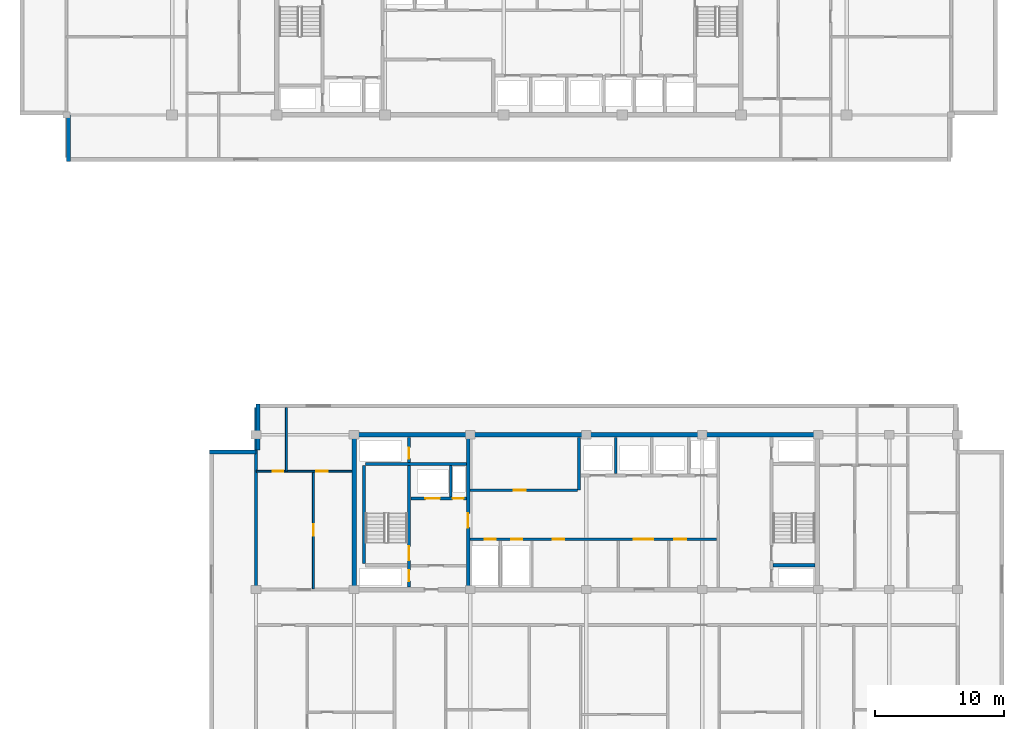
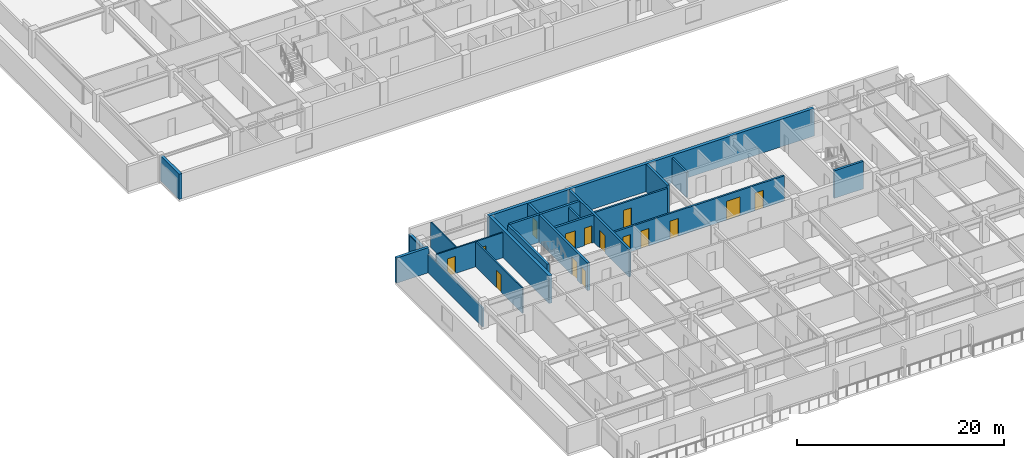
# One storey, part 6 of 21: 20 walls, 15 doors, 15 openings.
"""IFC4 building model written with IfcOpenShell, lengths in metres."""

from ifc_helpers import new_model, si_unit, direction, frame, frame_2d, origin, place, context, subcontext, project, spatial, rectangle, extrude, material, layer, layer_set, type_object, element, fill, save


model = new_model("IFC4")

# Units and contexts
model_context = context("Model", 3, precision=1e-05, world=origin(), true_north=direction((0.0, 1.0)))
body_context = subcontext(model_context, "Body", "Model", "MODEL_VIEW")
ifc_project = project(units=[si_unit("LENGTHUNIT", "METRE"), si_unit("AREAUNIT", "SQUARE_METRE"), si_unit("VOLUMEUNIT", "CUBIC_METRE"), si_unit("PLANEANGLEUNIT", "RADIAN"), si_unit("MASSUNIT", "GRAM", prefix="KILO")], contexts=[model_context])

# Site, building, storey
site_placement = place(None, origin())
site = spatial("IfcSite", under=ifc_project, at=site_placement, CompositionType="ELEMENT")
building_placement = place(site_placement, origin())
building = spatial("IfcBuilding", under=site, at=building_placement, Name="Korimba Cascade Residences", CompositionType="ELEMENT")
storey_placement = place(building_placement, frame((0.0, 0.0, 175.10009765625)))
storey = spatial("IfcBuildingStorey", under=building, at=storey_placement, Name="L50", CompositionType="ELEMENT", Elevation=175.10009765625)

# Walls
ifc_material_1 = material(Name="Precast concrete C40/50", Category="concrete")
ifc_layer_1 = layer(ifc_material_1, 0.300048828125)
ifc_layer_set_1 = layer_set([ifc_layer_1], Name="Precast concrete C40/50")
wall_type_1 = type_object("IfcWallType", Name="EW-STONE-300", PredefinedType="STANDARD", material=ifc_layer_set_1)
wall_1_placement = place(storey_placement, frame((59.949951171875, 55.199951171875, 0.0), z_axis=(0.0, 0.0, 1.0), x_axis=(0.0, -1.0, 0.0)))
element("IfcWall", 1, at=wall_1_placement, inside=storey, type_object=wall_type_1, Name="L50 T1 Perimeter Stone Wall E11", PredefinedType="STANDARD", context=body_context, shape_type="SweptSolid", body=[
    extrude(rectangle(XDim=3.599853515625, YDim=0.300048828125, at=frame_2d((1.7998046875, 0.0))), origin(), (0.0, 0.0, 1.0), 2.969970703125),
])
wall_2_placement = place(storey_placement, frame((74.64990234375, 32.800048828125, 0.0), z_axis=(0.0, 0.0, 1.0), x_axis=(0.0, -1.0, 0.0)))
element("IfcWall", 2, at=wall_2_placement, inside=storey, type_object=wall_type_1, Name="L50 T2 Perimeter Stone Wall E07", PredefinedType="STANDARD", context=body_context, shape_type="SweptSolid", body=[
    extrude(rectangle(XDim=3.60009765625, YDim=0.300048828125, at=frame_2d((1.800048828125, 0.0))), origin(), (0.0, 0.0, 1.0), 2.2001953125),
])
wall_3_placement = place(storey_placement, frame((74.5, 29.050048828125, 0.0), z_axis=(0.0, 0.0, 1.0), x_axis=(-1.0, 0.0, 0.0)))
element("IfcWall", 3, at=wall_3_placement, inside=storey, type_object=wall_type_1, Name="L50 T2 Perimeter Stone Wall E08", PredefinedType="STANDARD", context=body_context, shape_type="SweptSolid", body=[
    extrude(rectangle(XDim=3.60009765625, YDim=0.300048828125, at=frame_2d((1.800048828125, 0.0))), origin(), (0.0, 0.0, 1.0), 2.969970703125),
])
ifc_material_2 = material(Name="Concrete C65/80", Category="concrete")
ifc_layer_2 = layer(ifc_material_2, 0.35009765625)
ifc_layer_set_2 = layer_set([ifc_layer_2], Name="Concrete C65/80")
wall_type_2 = type_object("IfcWallType", Name="WAL-CORE-350", PredefinedType="SHEAR", material=ifc_layer_set_2)
wall_4_placement = place(storey_placement, frame((81.925048828125, 30.39990234375, 0.0), z_axis=(0.0, 0.0, 1.0), x_axis=(1.0, 0.0, 0.0)))
element("IfcWall", 4, at=wall_4_placement, inside=storey, type_object=wall_type_2, Name="L50 Core Shear Wall CW-L50-T2-N", PredefinedType="SHEAR", context=body_context, shape_type="SweptSolid", body=[
    extrude(rectangle(XDim=36.264892578125, YDim=0.35009765625, at=frame_2d((18.13232421875, 0.0))), origin(), (0.0, 0.0, 1.0), 3.25),
])
wall_5_placement = place(storey_placement, frame((82.10009765625, 18.574951171875, 0.0), z_axis=(0.0, 0.0, 1.0), x_axis=(0.0, 1.0, 0.0)))
element("IfcWall", 5, at=wall_5_placement, inside=storey, type_object=wall_type_2, Name="L50 Core Shear Wall CW-L50-T2-W", PredefinedType="SHEAR", context=body_context, shape_type="SweptSolid", body=[
    extrude(rectangle(XDim=11.650146484375, YDim=0.35009765625, at=frame_2d((5.8251953125, 0.0))), origin(), (0.0, 0.0, 1.0), 3.25),
])
ifc_layer_3 = layer(ifc_material_1, 0.199951171875)
ifc_layer_set_3 = layer_set([ifc_layer_3], Name="Precast concrete C40/50")
wall_type_3 = type_object("IfcWallType", Name="WAL-IT-200", PredefinedType="PARTITIONING", material=ifc_layer_set_3)
wall_6_placement = place(storey_placement, frame((74.5, 18.39990234375, 0.0), z_axis=(0.0, 0.0, 1.0), x_axis=(0.0, 1.0, 0.0)))
element("IfcWall", 6, at=wall_6_placement, inside=storey, type_object=wall_type_3, Name="L50 Partition Wall WAL-L50-T2-FW-WL", PredefinedType="PARTITIONING", context=body_context, shape_type="SweptSolid", body=[
    extrude(rectangle(XDim=14.10009765625, YDim=0.199951171875, at=frame_2d((7.050048828125, 0.0))), origin(), (0.0, 0.0, 1.0), 2.2001953125),
])

# Wall, opening, door
ifc_material_3 = material(Name="Insulated Acoustic Stud Partition", Category="gypsum")
ifc_layer_4 = layer(ifc_material_3, 0.14990234375)
ifc_layer_set_4 = layer_set([ifc_layer_4], Name="Insulated Acoustic Stud Partition")
wall_type_4 = type_object("IfcWallType", Name="WAL-PART-150", PredefinedType="PARTITIONING", material=ifc_layer_set_4)
wall_7_placement = place(storey_placement, frame((78.945068359375, 18.449951171875, 0.0), z_axis=(0.0, 0.0, 1.0), x_axis=(0.0, 1.0, 0.0)))
wall_7 = element("IfcWall", 7, at=wall_7_placement, inside=storey, type_object=wall_type_4, Name="L50 Partition Wall WAL-L50-T2-FW-VS", PredefinedType="PARTITIONING", context=body_context, shape_type="SweptSolid", body=[
    extrude(rectangle(XDim=9.1201171875, YDim=0.14990234375, at=frame_2d((4.56005859375, 0.0))), origin(), (0.0, 0.0, 1.0), 2.969970703125),
])
opening_1_placement = place(wall_7_placement, frame((4.10009765625, 0.0, 0.0)))
opening_1 = element("IfcOpeningElement", 8, at=opening_1_placement, cuts=wall_7, Name="Opening D-IN1", PredefinedType="OPENING", context=body_context, shape_type="SweptSolid", body=[
    extrude(rectangle(XDim=0.919921875, YDim=2.080078125, at=frame_2d((0.4599609375, 1.0400390625))), frame((0.0, 0.0849609375, 0.0), z_axis=(0.0, -1.0, 0.0), x_axis=(1.0, 0.0, 0.0)), (0.0, 0.0, 1.0), 0.169921875),
])
ifc_material_4 = material(Name="Acoustic Timber Living Door", Category="wood")
door_type_1 = type_object("IfcDoorType", Name="DR-INT-920", OperationType="NOTDEFINED", PredefinedType="DOOR", material=ifc_material_4)
door_1_placement = place(opening_1_placement, origin())
door_1 = element("IfcDoor", 9, at=door_1_placement, inside=storey, type_object=door_type_1, Name="L50-T2-FW Living Door", OperationType="SINGLE_SWING_RIGHT", OverallHeight=2.080078125, OverallWidth=0.919921875, PredefinedType="DOOR", context=body_context, shape_type="SweptSolid", body=[
    extrude(rectangle(XDim=0.919921875, YDim=2.080078125, at=frame_2d((0.4599609375, 1.0400390625))), frame((0.0, 0.02490234375, 0.0), z_axis=(0.0, -1.0, 0.0), x_axis=(1.0, 0.0, 0.0)), (0.0, 0.0, 1.0), 0.050048828125),
])
fill(opening_1, door_1)

# Wall
wall_8_placement = place(storey_placement, frame((76.85009765625, 27.570068359375, 0.0), z_axis=(0.0, 0.0, 1.0), x_axis=(0.0, 1.0, 0.0)))
element("IfcWall", 10, at=wall_8_placement, inside=storey, type_object=wall_type_4, Name="L50 Partition Wall WAL-L50-T2-FW-VN", PredefinedType="PARTITIONING", context=body_context, shape_type="SweptSolid", body=[
    extrude(rectangle(XDim=4.929931640625, YDim=0.14990234375, at=frame_2d((2.46484375, 0.0))), origin(), (0.0, 0.0, 1.0), 2.969970703125),
])

# Wall, openings, doors
wall_9_placement = place(storey_placement, frame((74.52001953125, 27.570068359375, 0.0), z_axis=(0.0, 0.0, 1.0), x_axis=(1.0, 0.0, 0.0)))
wall_9 = element("IfcWall", 11, at=wall_9_placement, inside=storey, type_object=wall_type_4, Name="L50 Partition Wall WAL-L50-T2-FW-H", PredefinedType="PARTITIONING", context=body_context, shape_type="SweptSolid", body=[
    extrude(rectangle(XDim=7.409912109375, YDim=0.14990234375, at=frame_2d((3.705078125, 0.0))), origin(), (0.0, 0.0, 1.0), 2.969970703125),
])
opening_2_placement = place(wall_9_placement, frame((1.266357421875, 0.0, 0.0)))
opening_2 = element("IfcOpeningElement", 12, at=opening_2_placement, cuts=wall_9, Name="Opening D-BT1", PredefinedType="OPENING", context=body_context, shape_type="SweptSolid", body=[
    extrude(rectangle(XDim=0.840087890625, YDim=2.0400390625, at=frame_2d((0.419921875, 1.02001953125))), frame((0.0, 0.0849609375, 0.0), z_axis=(0.0, -1.0, 0.0), x_axis=(1.0, 0.0, 0.0)), (0.0, 0.0, 1.0), 0.169921875),
])
opening_3_placement = place(wall_9_placement, frame((4.64501953125, 0.0, 0.0)))
opening_3 = element("IfcOpeningElement", 13, at=opening_3_placement, cuts=wall_9, Name="Opening D-IN2", PredefinedType="OPENING", context=body_context, shape_type="SweptSolid", body=[
    extrude(rectangle(XDim=0.8798828125, YDim=2.06005859375, at=frame_2d((0.43994140625, 1.030029296875))), frame((0.0, 0.0849609375, 0.0), z_axis=(0.0, -1.0, 0.0), x_axis=(1.0, 0.0, 0.0)), (0.0, 0.0, 1.0), 0.169921875),
])
ifc_material_5 = material(Name="Moisture-Resistant Bathroom Timber Door", Category="wood")
door_type_2 = type_object("IfcDoorType", Name="DR-INT-850", OperationType="NOTDEFINED", PredefinedType="DOOR", material=ifc_material_5)
door_2_placement = place(opening_2_placement, origin())
door_2 = element("IfcDoor", 14, at=door_2_placement, inside=storey, type_object=door_type_2, Name="L50-T2-FW Bathroom Door", OperationType="SINGLE_SWING_LEFT", OverallHeight=2.0400390625, OverallWidth=0.840087890625, PredefinedType="DOOR", context=body_context, shape_type="SweptSolid", body=[
    extrude(rectangle(XDim=0.840087890625, YDim=2.0400390625, at=frame_2d((0.419921875, 1.02001953125))), frame((0.0, 0.02490234375, 0.0), z_axis=(0.0, -1.0, 0.0), x_axis=(1.0, 0.0, 0.0)), (0.0, 0.0, 1.0), 0.050048828125),
])
fill(opening_2, door_2)
ifc_material_6 = material(Name="Acoustic Timber Bedroom Door", Category="wood")
door_type_3 = type_object("IfcDoorType", Name="DR-INT-880", OperationType="NOTDEFINED", PredefinedType="DOOR", material=ifc_material_6)
door_3_placement = place(opening_3_placement, origin())
door_3 = element("IfcDoor", 15, at=door_3_placement, inside=storey, type_object=door_type_3, Name="L50-T2-FW Bedroom Door", OperationType="SINGLE_SWING_RIGHT", OverallHeight=2.06005859375, OverallWidth=0.8798828125, PredefinedType="DOOR", context=body_context, shape_type="SweptSolid", body=[
    extrude(rectangle(XDim=0.8798828125, YDim=2.06005859375, at=frame_2d((0.43994140625, 1.030029296875))), frame((0.0, 0.02490234375, 0.0), z_axis=(0.0, -1.0, 0.0), x_axis=(1.0, 0.0, 0.0)), (0.0, 0.0, 1.0), 0.050048828125),
])
fill(opening_3, door_3)

# Wall
ifc_material_7 = material(Name="Concrete C40/50", Category="concrete")
ifc_layer_5 = layer(ifc_material_7, 0.199951171875)
ifc_layer_set_5 = layer_set([ifc_layer_5], Name="Concrete C40/50")
wall_type_5 = type_object("IfcWallType", Name="WAL-PART-200", PredefinedType="PARTITIONING", material=ifc_layer_set_5)
wall_10_placement = place(storey_placement, frame((89.60009765625, 25.580078125, 0.0), z_axis=(0.0, 0.0, 1.0), x_axis=(0.0, 1.0, 0.0)))
element("IfcWall", 16, at=wall_10_placement, inside=storey, type_object=wall_type_5, Name="L50 Partition Wall CW-L50-T2-FFLDIV", PredefinedType="PARTITIONING", context=body_context, shape_type="SweptSolid", body=[
    extrude(rectangle(XDim=2.419921875, YDim=0.199951171875, at=frame_2d((1.2099609375, 0.0))), origin(), (0.0, 0.0, 1.0), 2.969970703125),
])

# Wall, opening, door
wall_11_placement = place(storey_placement, frame((91.080078125, 26.10009765625, 0.0), z_axis=(0.0, 0.0, 1.0), x_axis=(1.0, 0.0, 0.0)))
wall_11 = element("IfcWall", 17, at=wall_11_placement, inside=storey, type_object=wall_type_5, Name="L50 Partition Wall CW-L50-T2-B1RS", PredefinedType="PARTITIONING", context=body_context, shape_type="SweptSolid", body=[
    extrude(rectangle(XDim=8.33984375, YDim=0.199951171875, at=frame_2d((4.169921875, 0.0))), origin(), (0.0, 0.0, 1.0), 2.969970703125),
])
opening_4_placement = place(wall_11_placement, frame((3.39990234375, 0.0, 0.0)))
opening_4 = element("IfcOpeningElement", 18, at=opening_4_placement, cuts=wall_11, Name="Opening D-ST1", PredefinedType="OPENING", context=body_context, shape_type="SweptSolid", body=[
    extrude(rectangle(XDim=0.919921875, YDim=2.080078125, at=frame_2d((0.4599609375, 1.0400390625))), frame((0.0, 0.10986328125, 0.0), z_axis=(0.0, -1.0, 0.0), x_axis=(1.0, 0.0, 0.0)), (0.0, 0.0, 1.0), 0.219970703125),
])
ifc_material_8 = material(Name="Fire-Rated Core Store Door", Category="wood")
door_type_4 = type_object("IfcDoorType", Name="DR-FD60-920", OperationType="NOTDEFINED", PredefinedType="DOOR", material=ifc_material_8)
door_4_placement = place(opening_4_placement, origin())
door_4 = element("IfcDoor", 19, at=door_4_placement, inside=storey, type_object=door_type_4, Name="L50 T2 Resident Storage Door", OperationType="SINGLE_SWING_RIGHT", OverallHeight=2.080078125, OverallWidth=0.919921875, PredefinedType="DOOR", context=body_context, shape_type="SweptSolid", body=[
    extrude(rectangle(XDim=0.919921875, YDim=2.080078125, at=frame_2d((0.4599609375, 1.0400390625))), frame((0.0, 0.02490234375, 0.0), z_axis=(0.0, -1.0, 0.0), x_axis=(1.0, 0.0, 0.0)), (0.0, 0.0, 1.0), 0.050048828125),
])
fill(opening_4, door_4)

# Wall
wall_12_placement = place(storey_placement, frame((102.39990234375, 27.3798828125, 0.0), z_axis=(0.0, 0.0, 1.0), x_axis=(0.0, 1.0, 0.0)))
element("IfcWall", 20, at=wall_12_placement, inside=storey, type_object=wall_type_5, Name="L50 Partition Wall CW-L50-T2-B2D1", PredefinedType="PARTITIONING", context=body_context, shape_type="SweptSolid", body=[
    extrude(rectangle(XDim=2.820068359375, YDim=0.199951171875, at=frame_2d((1.41015625, 0.0))), origin(), (0.0, 0.0, 1.0), 2.969970703125),
])

# Wall, openings, doors
wall_13_placement = place(storey_placement, frame((91.080078125, 22.300048828125, 0.0), z_axis=(0.0, 0.0, 1.0), x_axis=(1.0, 0.0, 0.0)))
wall_13 = element("IfcWall", 21, at=wall_13_placement, inside=storey, type_object=wall_type_5, Name="L50 Partition Wall CW-L50-T2-SRVROW", PredefinedType="PARTITIONING", context=body_context, shape_type="SweptSolid", body=[
    extrude(rectangle(XDim=19.139892578125, YDim=0.199951171875, at=frame_2d((9.56982421875, 0.0))), origin(), (0.0, 0.0, 1.0), 2.969970703125),
])
opening_5_placement = place(wall_13_placement, frame((1.14990234375, 0.0, 0.0)))
opening_5 = element("IfcOpeningElement", 22, at=opening_5_placement, cuts=wall_13, Name="Opening D-RS1", PredefinedType="OPENING", context=body_context, shape_type="SweptSolid", body=[
    extrude(rectangle(XDim=0.85009765625, YDim=2.050048828125, at=frame_2d((0.425048828125, 1.02490234375))), frame((0.0, 0.10986328125, 0.0), z_axis=(0.0, -1.0, 0.0), x_axis=(1.0, 0.0, 0.0)), (0.0, 0.0, 1.0), 0.219970703125),
])
opening_6_placement = place(wall_13_placement, frame((3.199951171875, 0.0, 0.0)))
opening_6 = element("IfcOpeningElement", 23, at=opening_6_placement, cuts=wall_13, Name="Opening D-RS1", PredefinedType="OPENING", context=body_context, shape_type="SweptSolid", body=[
    extrude(rectangle(XDim=0.85009765625, YDim=2.050048828125, at=frame_2d((0.425048828125, 1.02490234375))), frame((0.0, 0.10986328125, 0.0), z_axis=(0.0, -1.0, 0.0), x_axis=(1.0, 0.0, 0.0)), (0.0, 0.0, 1.0), 0.219970703125),
])
opening_7_placement = place(wall_13_placement, frame((12.719970703125, 0.0, 0.0)))
opening_7 = element("IfcOpeningElement", 24, at=opening_7_placement, cuts=wall_13, Name="Opening D-FD8", PredefinedType="OPENING", context=body_context, shape_type="SweptSolid", body=[
    extrude(rectangle(XDim=1.5, YDim=2.199951171875, at=frame_2d((0.75, 1.10009765625))), frame((0.0, 0.10986328125, 0.0), z_axis=(0.0, -1.0, 0.0), x_axis=(1.0, 0.0, 0.0)), (0.0, 0.0, 1.0), 0.219970703125),
])
opening_8_placement = place(wall_13_placement, frame((6.419921875, 0.0, 0.0)))
opening_8 = element("IfcOpeningElement", 25, at=opening_8_placement, cuts=wall_13, Name="Opening D-IN1", PredefinedType="OPENING", context=body_context, shape_type="SweptSolid", body=[
    extrude(rectangle(XDim=0.919921875, YDim=2.080078125, at=frame_2d((0.4599609375, 1.0400390625))), frame((0.0, 0.10986328125, 0.0), z_axis=(0.0, -1.0, 0.0), x_axis=(1.0, 0.0, 0.0)), (0.0, 0.0, 1.0), 0.219970703125),
])
opening_9_placement = place(wall_13_placement, frame((15.8701171875, 0.0, 0.0)))
opening_9 = element("IfcOpeningElement", 26, at=opening_9_placement, cuts=wall_13, Name="Opening D-IN1", PredefinedType="OPENING", context=body_context, shape_type="SweptSolid", body=[
    extrude(rectangle(XDim=0.919921875, YDim=2.080078125, at=frame_2d((0.4599609375, 1.0400390625))), frame((0.0, 0.10986328125, 0.0), z_axis=(0.0, -1.0, 0.0), x_axis=(1.0, 0.0, 0.0)), (0.0, 0.0, 1.0), 0.219970703125),
])
ifc_material_9 = material(Name="Fire-Rated Steel Riser Access Door", Category="steel")
door_type_5 = type_object("IfcDoorType", Name="DR-FD60-850", OperationType="NOTDEFINED", PredefinedType="DOOR", material=ifc_material_9)
door_5_placement = place(opening_5_placement, origin())
door_5 = element("IfcDoor", 27, at=door_5_placement, inside=storey, type_object=door_type_5, Name="L50 T2 Electrical Riser Door", OperationType="SINGLE_SWING_RIGHT", OverallHeight=2.050048828125, OverallWidth=0.85009765625, PredefinedType="DOOR", context=body_context, shape_type="SweptSolid", body=[
    extrude(rectangle(XDim=0.85009765625, YDim=2.050048828125, at=frame_2d((0.425048828125, 1.02490234375))), frame((0.0, 0.02490234375, 0.0), z_axis=(0.0, -1.0, 0.0), x_axis=(1.0, 0.0, 0.0)), (0.0, 0.0, 1.0), 0.050048828125),
])
fill(opening_5, door_5)
door_6_placement = place(opening_6_placement, origin())
door_6 = element("IfcDoor", 28, at=door_6_placement, inside=storey, type_object=door_type_5, Name="L50 T2 Plumbing Riser Door", OperationType="SINGLE_SWING_LEFT", OverallHeight=2.050048828125, OverallWidth=0.85009765625, PredefinedType="DOOR", context=body_context, shape_type="SweptSolid", body=[
    extrude(rectangle(XDim=0.85009765625, YDim=2.050048828125, at=frame_2d((0.425048828125, 1.02490234375))), frame((0.0, 0.02490234375, 0.0), z_axis=(0.0, -1.0, 0.0), x_axis=(1.0, 0.0, 0.0)), (0.0, 0.0, 1.0), 0.050048828125),
])
fill(opening_6, door_6)
ifc_material_10 = material(Name="Fire-Rated Glazed Lift Lobby Double Door", Category="glass")
door_type_6 = type_object("IfcDoorType", Name="DR-FD90-1500", OperationType="NOTDEFINED", PredefinedType="DOOR", material=ifc_material_10)
door_7_placement = place(opening_7_placement, origin())
door_7 = element("IfcDoor", 29, at=door_7_placement, inside=storey, type_object=door_type_6, Name="L50 T2 Lift Lobby Foyer Door", OperationType="DOUBLE_DOOR_SINGLE_SWING", OverallHeight=2.199951171875, OverallWidth=1.5, PredefinedType="DOOR", context=body_context, shape_type="SweptSolid", body=[
    extrude(rectangle(XDim=1.5, YDim=2.199951171875, at=frame_2d((0.75, 1.10009765625))), frame((0.0, 0.02490234375, 0.0), z_axis=(0.0, -1.0, 0.0), x_axis=(1.0, 0.0, 0.0)), (0.0, 0.0, 1.0), 0.050048828125),
])
fill(opening_7, door_7)
door_8_placement = place(opening_8_placement, origin())
door_8 = element("IfcDoor", 30, at=door_8_placement, inside=storey, type_object=door_type_1, Name="L50 T2 Housekeeping Door", OperationType="SINGLE_SWING_RIGHT", OverallHeight=2.080078125, OverallWidth=0.919921875, PredefinedType="DOOR", context=body_context, shape_type="SweptSolid", body=[
    extrude(rectangle(XDim=0.919921875, YDim=2.080078125, at=frame_2d((0.4599609375, 1.0400390625))), frame((0.0, 0.02490234375, 0.0), z_axis=(0.0, -1.0, 0.0), x_axis=(1.0, 0.0, 0.0)), (0.0, 0.0, 1.0), 0.050048828125),
])
fill(opening_8, door_8)
door_9_placement = place(opening_9_placement, origin())
door_9 = element("IfcDoor", 31, at=door_9_placement, inside=storey, type_object=door_type_1, Name="L50 T2 Store Door", OperationType="SINGLE_SWING_LEFT", OverallHeight=2.080078125, OverallWidth=0.919921875, PredefinedType="DOOR", context=body_context, shape_type="SweptSolid", body=[
    extrude(rectangle(XDim=0.919921875, YDim=2.080078125, at=frame_2d((0.4599609375, 1.0400390625))), frame((0.0, 0.02490234375, 0.0), z_axis=(0.0, -1.0, 0.0), x_axis=(1.0, 0.0, 0.0)), (0.0, 0.0, 1.0), 0.050048828125),
])
fill(opening_9, door_9)

# Wall
ifc_material_11 = material(Name="Concrete C50/60", Category="concrete")
ifc_layer_6 = layer(ifc_material_11, 0.25)
ifc_layer_set_6 = layer_set([ifc_layer_6], Name="Concrete C50/60")
wall_type_6 = type_object("IfcWallType", Name="WAL-SHAFT-250", PredefinedType="SHEAR", material=ifc_layer_set_6)
wall_14_placement = place(storey_placement, frame((82.875, 20.39990234375, 0.0), z_axis=(0.0, 0.0, 1.0), x_axis=(0.0, 1.0, 0.0)))
element("IfcWall", 32, at=wall_14_placement, inside=storey, type_object=wall_type_6, Name="L50 Core Shear Wall CW-L50-T2-STE1W", PredefinedType="SHEAR", context=body_context, shape_type="SweptSolid", body=[
    extrude(rectangle(XDim=7.60009765625, YDim=0.25, at=frame_2d((3.800048828125, 0.0))), origin(), (0.0, 0.0, 1.0), 3.25),
])

# Wall, openings, doors
wall_15_placement = place(storey_placement, frame((86.364990234375, 18.60009765625, 0.0), z_axis=(0.0, 0.0, 1.0), x_axis=(0.0, 1.0, 0.0)))
wall_15 = element("IfcWall", 33, at=wall_15_placement, inside=storey, type_object=wall_type_6, Name="L50 Core Shear Wall CW-L50-T2-STE1E", PredefinedType="SHEAR", context=body_context, shape_type="SweptSolid", body=[
    extrude(rectangle(XDim=11.599853515625, YDim=0.25, at=frame_2d((5.7998046875, 0.0))), origin(), (0.0, 0.0, 1.0), 3.25),
])
opening_10_placement = place(wall_15_placement, frame((0.449951171875, 0.0, 0.0)))
opening_10 = element("IfcOpeningElement", 34, at=opening_10_placement, cuts=wall_15, Name="Opening D-RS1", PredefinedType="OPENING", context=body_context, shape_type="SweptSolid", body=[
    extrude(rectangle(XDim=0.85009765625, YDim=2.050048828125, at=frame_2d((0.425048828125, 1.02490234375))), frame((0.0, 0.135009765625, 0.0), z_axis=(0.0, -1.0, 0.0), x_axis=(1.0, 0.0, 0.0)), (0.0, 0.0, 1.0), 0.27001953125),
])
opening_11_placement = place(wall_15_placement, frame((2.050048828125, 0.0, 0.0)))
opening_11 = element("IfcOpeningElement", 35, at=opening_11_placement, cuts=wall_15, Name="Opening D-FD1", PredefinedType="OPENING", context=body_context, shape_type="SweptSolid", body=[
    extrude(rectangle(XDim=1.10009765625, YDim=2.10009765625, at=frame_2d((0.550048828125, 1.050048828125))), frame((0.0, 0.135009765625, 0.0), z_axis=(0.0, -1.0, 0.0), x_axis=(1.0, 0.0, 0.0)), (0.0, 0.0, 1.0), 0.27001953125),
])
opening_12_placement = place(wall_15_placement, frame((9.949951171875, 0.0, 0.0)))
opening_12 = element("IfcOpeningElement", 36, at=opening_12_placement, cuts=wall_15, Name="Opening D-RS1", PredefinedType="OPENING", context=body_context, shape_type="SweptSolid", body=[
    extrude(rectangle(XDim=0.85009765625, YDim=2.050048828125, at=frame_2d((0.425048828125, 1.02490234375))), frame((0.0, 0.135009765625, 0.0), z_axis=(0.0, -1.0, 0.0), x_axis=(1.0, 0.0, 0.0)), (0.0, 0.0, 1.0), 0.27001953125),
])
ifc_material_12 = material(Name="Fire-Rated Steel Core Door", Category="steel")
door_type_7 = type_object("IfcDoorType", Name="DR-FD120-1100", OperationType="NOTDEFINED", PredefinedType="DOOR", material=ifc_material_12)
door_10_placement = place(opening_11_placement, origin())
door_10 = element("IfcDoor", 37, at=door_10_placement, inside=storey, type_object=door_type_7, Name="L50 Fire Stair ST-E1 Door", OperationType="SINGLE_SWING_LEFT", OverallHeight=2.10009765625, OverallWidth=1.10009765625, PredefinedType="DOOR", context=body_context, shape_type="SweptSolid", body=[
    extrude(rectangle(XDim=1.10009765625, YDim=2.10009765625, at=frame_2d((0.550048828125, 1.050048828125))), frame((0.0, 0.02490234375, 0.0), z_axis=(0.0, -1.0, 0.0), x_axis=(1.0, 0.0, 0.0)), (0.0, 0.0, 1.0), 0.050048828125),
])
fill(opening_11, door_10)
door_11_placement = place(opening_10_placement, origin())
door_11 = element("IfcDoor", 38, at=door_11_placement, inside=storey, type_object=door_type_5, Name="L50 T2 Hydrant Riser Door", OperationType="SINGLE_SWING_RIGHT", OverallHeight=2.050048828125, OverallWidth=0.85009765625, PredefinedType="DOOR", context=body_context, shape_type="SweptSolid", body=[
    extrude(rectangle(XDim=0.85009765625, YDim=2.050048828125, at=frame_2d((0.425048828125, 1.02490234375))), frame((0.0, 0.02490234375, 0.0), z_axis=(0.0, -1.0, 0.0), x_axis=(1.0, 0.0, 0.0)), (0.0, 0.0, 1.0), 0.050048828125),
])
fill(opening_10, door_11)
door_12_placement = place(opening_12_placement, origin())
door_12 = element("IfcDoor", 39, at=door_12_placement, inside=storey, type_object=door_type_5, Name="L50 T2 Smoke Shaft Door", OperationType="SINGLE_SWING_RIGHT", OverallHeight=2.050048828125, OverallWidth=0.85009765625, PredefinedType="DOOR", context=body_context, shape_type="SweptSolid", body=[
    extrude(rectangle(XDim=0.85009765625, YDim=2.050048828125, at=frame_2d((0.425048828125, 1.02490234375))), frame((0.0, 0.02490234375, 0.0), z_axis=(0.0, -1.0, 0.0), x_axis=(1.0, 0.0, 0.0)), (0.0, 0.0, 1.0), 0.050048828125),
])
fill(opening_12, door_12)

# Wall
wall_16_placement = place(storey_placement, frame((83.0, 28.125, 0.0), z_axis=(0.0, 0.0, 1.0), x_axis=(1.0, 0.0, 0.0)))
element("IfcWall", 40, at=wall_16_placement, inside=storey, type_object=wall_type_6, Name="L50 Core Shear Wall CW-L50-T2-STE1N", PredefinedType="SHEAR", context=body_context, shape_type="SweptSolid", body=[
    extrude(rectangle(XDim=7.820068359375, YDim=0.25, at=frame_2d((3.91015625, 0.0))), origin(), (0.0, 0.0, 1.0), 3.25),
])

# Wall, openings, doors
wall_17_placement = place(storey_placement, frame((86.5, 25.449951171875, 0.0), z_axis=(0.0, 0.0, 1.0), x_axis=(1.0, 0.0, 0.0)))
wall_17 = element("IfcWall", 41, at=wall_17_placement, inside=storey, type_object=wall_type_6, Name="L50 Core Shear Wall CW-L50-T2-FFLN", PredefinedType="SHEAR", context=body_context, shape_type="SweptSolid", body=[
    extrude(rectangle(XDim=4.320068359375, YDim=0.25, at=frame_2d((2.16015625, 0.0))), origin(), (0.0, 0.0, 1.0), 3.25),
])
opening_13_placement = place(wall_17_placement, frame((1.139892578125, 0.0, 0.0)))
opening_13 = element("IfcOpeningElement", 42, at=opening_13_placement, cuts=wall_17, Name="Opening LD-01", PredefinedType="OPENING", context=body_context, shape_type="SweptSolid", body=[
    extrude(rectangle(XDim=1.1201171875, YDim=2.1201171875, at=frame_2d((0.56005859375, 1.06005859375))), frame((0.0, 0.135009765625, 0.0), z_axis=(0.0, -1.0, 0.0), x_axis=(1.0, 0.0, 0.0)), (0.0, 0.0, 1.0), 0.27001953125),
])
opening_14_placement = place(wall_17_placement, frame((3.25, 0.0, 0.0)))
opening_14 = element("IfcOpeningElement", 43, at=opening_14_placement, cuts=wall_17, Name="Opening D-RS1", PredefinedType="OPENING", context=body_context, shape_type="SweptSolid", body=[
    extrude(rectangle(XDim=0.85009765625, YDim=2.050048828125, at=frame_2d((0.425048828125, 1.02490234375))), frame((0.0, 0.135009765625, 0.0), z_axis=(0.0, -1.0, 0.0), x_axis=(1.0, 0.0, 0.0)), (0.0, 0.0, 1.0), 0.27001953125),
])
door_13_placement = place(opening_14_placement, origin())
door_13 = element("IfcDoor", 44, at=door_13_placement, inside=storey, type_object=door_type_5, Name="L50 T2 Pressurisation Riser Door", OperationType="SINGLE_SWING_LEFT", OverallHeight=2.050048828125, OverallWidth=0.85009765625, PredefinedType="DOOR", context=body_context, shape_type="SweptSolid", body=[
    extrude(rectangle(XDim=0.85009765625, YDim=2.050048828125, at=frame_2d((0.425048828125, 1.02490234375))), frame((0.0, 0.02490234375, 0.0), z_axis=(0.0, -1.0, 0.0), x_axis=(1.0, 0.0, 0.0)), (0.0, 0.0, 1.0), 0.050048828125),
])
fill(opening_14, door_13)
ifc_material_13 = material(Name="Stainless Steel Lift Landing Sliding Door", Category="steel")
door_type_8 = type_object("IfcDoorType", Name="DR-LIFT-1100", OperationType="NOTDEFINED", PredefinedType="DOOR", material=ifc_material_13)
door_14_placement = place(opening_13_placement, origin())
door_14 = element("IfcDoor", 45, at=door_14_placement, inside=storey, type_object=door_type_8, Name="L50 Firefighting Lift Landing Door FFL-E1", OperationType="SLIDING_TO_RIGHT", OverallHeight=2.1201171875, OverallWidth=1.1201171875, PredefinedType="DOOR", context=body_context, shape_type="SweptSolid", body=[
    extrude(rectangle(XDim=1.1201171875, YDim=2.1201171875, at=frame_2d((0.56005859375, 1.06005859375))), frame((0.0, 0.02490234375, 0.0), z_axis=(0.0, -1.0, 0.0), x_axis=(1.0, 0.0, 0.0)), (0.0, 0.0, 1.0), 0.050048828125),
])
fill(opening_13, door_14)

# Wall, opening, door
wall_18_placement = place(storey_placement, frame((90.949951171875, 18.60009765625, 0.0), z_axis=(0.0, 0.0, 1.0), x_axis=(0.0, 1.0, 0.0)))
wall_18 = element("IfcWall", 46, at=wall_18_placement, inside=storey, type_object=wall_type_6, Name="L50 Core Shear Wall CW-L50-T2-FFLE", PredefinedType="SHEAR", context=body_context, shape_type="SweptSolid", body=[
    extrude(rectangle(XDim=11.599853515625, YDim=0.25, at=frame_2d((5.7998046875, 0.0))), origin(), (0.0, 0.0, 1.0), 3.25),
])
opening_15_placement = place(wall_18_placement, frame((4.60009765625, 0.0, 0.0)))
opening_15 = element("IfcOpeningElement", 47, at=opening_15_placement, cuts=wall_18, Name="Opening D-FD1", PredefinedType="OPENING", context=body_context, shape_type="SweptSolid", body=[
    extrude(rectangle(XDim=1.10009765625, YDim=2.10009765625, at=frame_2d((0.550048828125, 1.050048828125))), frame((0.0, 0.135009765625, 0.0), z_axis=(0.0, -1.0, 0.0), x_axis=(1.0, 0.0, 0.0)), (0.0, 0.0, 1.0), 0.27001953125),
])
door_15_placement = place(opening_15_placement, origin())
door_15 = element("IfcDoor", 48, at=door_15_placement, inside=storey, type_object=door_type_7, Name="L50 T2 Firefighting Lobby to Lift Lobby Door", OperationType="SINGLE_SWING_LEFT", OverallHeight=2.10009765625, OverallWidth=1.10009765625, PredefinedType="DOOR", context=body_context, shape_type="SweptSolid", body=[
    extrude(rectangle(XDim=1.10009765625, YDim=2.10009765625, at=frame_2d((0.550048828125, 1.050048828125))), frame((0.0, 0.02490234375, 0.0), z_axis=(0.0, -1.0, 0.0), x_axis=(1.0, 0.0, 0.0)), (0.0, 0.0, 1.0), 0.050048828125),
])
fill(opening_15, door_15)

# Walls
wall_19_placement = place(storey_placement, frame((99.550048828125, 26.10009765625, 0.0), z_axis=(0.0, 0.0, 1.0), x_axis=(0.0, 1.0, 0.0)))
element("IfcWall", 49, at=wall_19_placement, inside=storey, type_object=wall_type_6, Name="L50 Core Shear Wall CW-L50-T2-B12DIV", PredefinedType="SHEAR", context=body_context, shape_type="SweptSolid", body=[
    extrude(rectangle(XDim=4.099853515625, YDim=0.25, at=frame_2d((2.0498046875, 0.0))), origin(), (0.0, 0.0, 1.0), 3.25),
])
wall_20_placement = place(storey_placement, frame((114.60009765625, 20.27490234375, 0.0), z_axis=(0.0, 0.0, 1.0), x_axis=(1.0, 0.0, 0.0)))
element("IfcWall", 50, at=wall_20_placement, inside=storey, type_object=wall_type_6, Name="L50 Core Shear Wall CW-L50-T2-STE2S", PredefinedType="SHEAR", context=body_context, shape_type="SweptSolid", body=[
    extrude(rectangle(XDim=3.239990234375, YDim=0.25, at=frame_2d((1.6201171875, 0.0))), origin(), (0.0, 0.0, 1.0), 3.25),
])

save(model, "model.ifc")
